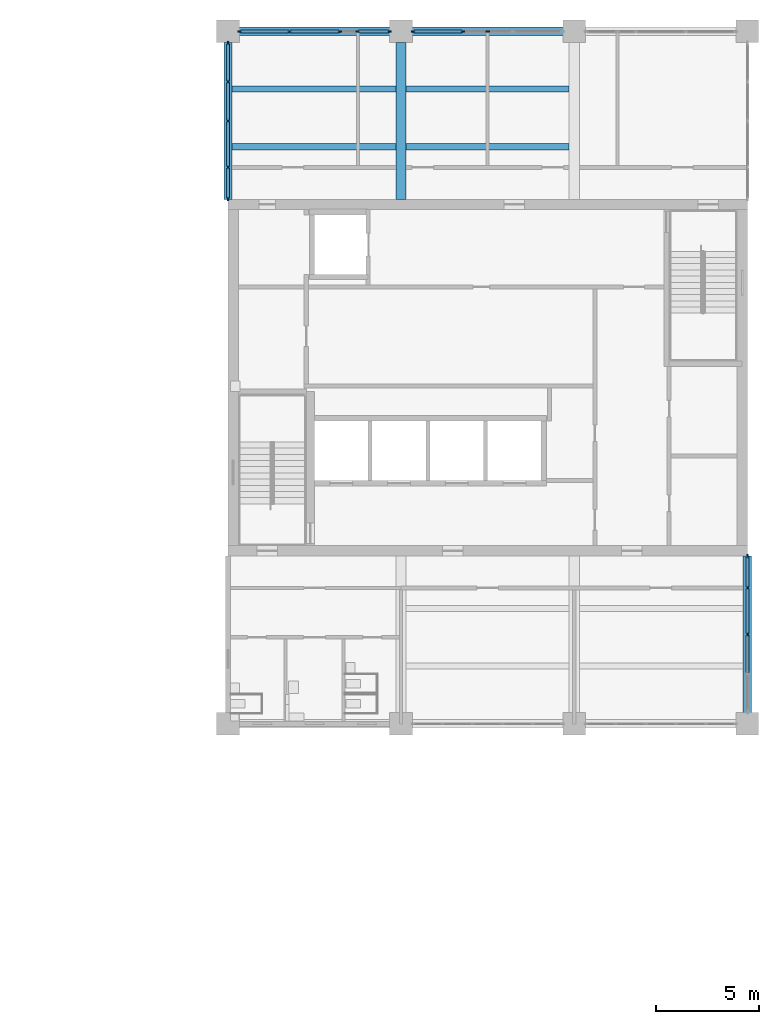
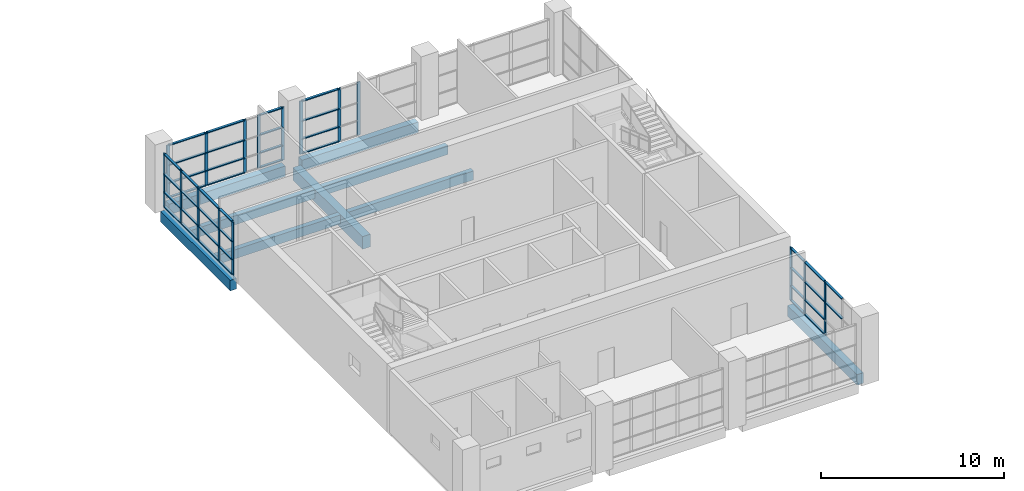
# One storey, part 11 of 64: 58 members, 9 beams, 4 elements without a shape of their own.
"""IFC4 building model written with IfcOpenShell, lengths in metres."""

from ifc_helpers import new_model, si_unit, direction, frame, origin, origin_2d, place, context, subcontext, project, spatial, rectangle, extrude, material, layer, layer_set, material_profile, profile_set, type_object, element, aggregate, save


model = new_model("IFC4")

# Units and contexts
model_context = context("Model", 3, precision=1e-05, world=origin(), true_north=direction((0.0, 1.0)))
body_context = subcontext(model_context, "Body", "Model", "MODEL_VIEW")
ifc_project = project(units=[si_unit("LENGTHUNIT", "METRE"), si_unit("AREAUNIT", "SQUARE_METRE"), si_unit("VOLUMEUNIT", "CUBIC_METRE"), si_unit("PLANEANGLEUNIT", "RADIAN"), si_unit("MASSUNIT", "GRAM", prefix="KILO")], contexts=[model_context])

# Site, building, storey
site_placement = place(None, origin())
site = spatial("IfcSite", under=ifc_project, at=site_placement, CompositionType="ELEMENT")
building_placement = place(site_placement, origin())
building = spatial("IfcBuilding", under=site, at=building_placement, Name="Rulbaag Community and Learning Centre", CompositionType="ELEMENT")
storey_placement = place(building_placement, frame((0.0, 0.0, 5.39990234375)))
storey = spatial("IfcBuildingStorey", under=building, at=storey_placement, Name="L01", CompositionType="ELEMENT", Elevation=5.39990234375)

# Beams
ifc_material_1 = material(Name="Concrete M40", Category="concrete")
ifc_material_profile_1 = material_profile(ifc_material_1, rectangle(XDim=0.39990234375, YDim=0.699951171875, at=origin_2d()), Name="RB400x700")
ifc_profile_set_1 = profile_set([ifc_material_profile_1], Name="Concrete M40")
beam_type_1 = type_object("IfcBeamType", Name="B17 Tower edge beam, lower zone 400x700 Concrete M40", PredefinedType="BEAM", material=ifc_profile_set_1)
beam_1_placement = place(storey_placement, frame((142.800048828125, 109.449951171875, -0.64990234375), z_axis=(0.0, 1.0, 0.0), x_axis=(-1.0, 0.0, 0.0)))
element("IfcBeam", 1, at=beam_1_placement, inside=storey, type_object=beam_type_1, Name="BM-L01-18N-18O", PredefinedType="BEAM", context=body_context, shape_type="SweptSolid", body=[
    extrude(rectangle(XDim=0.39990234375, YDim=0.699951171875, at=origin_2d()), origin(), (0.0, 0.0, 1.0), 7.6201171875),
])
beam_2_placement = place(storey_placement, frame((143.330078125, 117.60009765625, -0.64990234375), z_axis=(1.0, 0.0, 0.0), x_axis=(0.0, 1.0, 0.0)))
element("IfcBeam", 2, at=beam_2_placement, inside=storey, type_object=beam_type_1, Name="BM-L01-18O-19O", PredefinedType="BEAM", context=body_context, shape_type="SweptSolid", body=[
    extrude(rectangle(XDim=0.39990234375, YDim=0.699951171875, at=origin_2d()), origin(), (0.0, 0.0, 1.0), 7.33984375),
])
beam_3_placement = place(storey_placement, frame((151.72998046875, 117.60009765625, -0.64990234375), z_axis=(1.0, 0.0, 0.0), x_axis=(0.0, 1.0, 0.0)))
element("IfcBeam", 3, at=beam_3_placement, inside=storey, type_object=beam_type_1, Name="BM-L01-19O-20O", PredefinedType="BEAM", context=body_context, shape_type="SweptSolid", body=[
    extrude(rectangle(XDim=0.39990234375, YDim=0.699951171875, at=origin_2d()), origin(), (0.0, 0.0, 1.0), 7.340087890625),
])
beam_4_placement = place(storey_placement, frame((168.0, 84.530029296875, -0.64990234375), z_axis=(0.0, 1.0, 0.0), x_axis=(-1.0, 0.0, 0.0)))
element("IfcBeam", 4, at=beam_4_placement, inside=storey, type_object=beam_type_1, Name="BM-L01-21K-21L", PredefinedType="BEAM", context=body_context, shape_type="SweptSolid", body=[
    extrude(rectangle(XDim=0.39990234375, YDim=0.699951171875, at=origin_2d()), origin(), (0.0, 0.0, 1.0), 7.619873046875),
])
ifc_material_profile_2 = material_profile(ifc_material_1, rectangle(XDim=0.5, YDim=0.85009765625, at=origin_2d()), Name="RB500x850")
ifc_profile_set_2 = profile_set([ifc_material_profile_2], Name="Concrete M40")
beam_type_2 = type_object("IfcBeamType", Name="B18 Core-framing beam, lower zone 500x850 Concrete M40", PredefinedType="BEAM", material=ifc_profile_set_2)
beam_5_placement = place(storey_placement, frame((151.199951171875, 109.449951171875, -0.724853515625), z_axis=(0.0, 1.0, 0.0), x_axis=(-1.0, 0.0, 0.0)))
element("IfcBeam", 5, at=beam_5_placement, inside=storey, type_object=beam_type_2, Name="BM-L01-19N-19O", PredefinedType="BEAM", context=body_context, shape_type="SweptSolid", body=[
    extrude(rectangle(XDim=0.5, YDim=0.85009765625, at=origin_2d()), origin(), (0.0, 0.0, 1.0), 7.6201171875),
])
ifc_material_profile_3 = material_profile(ifc_material_1, rectangle(XDim=0.300048828125, YDim=0.60009765625, at=origin_2d()), Name="RB300x600")
ifc_profile_set_3 = profile_set([ifc_material_profile_3], Name="Concrete M40")
beam_type_3 = type_object("IfcBeamType", Name="B30 Secondary joist 300x600 Concrete M40", PredefinedType="BEAM", material=ifc_profile_set_3)
for number, where, z_axis, x_axis, name in (
    (6, (143.0, 112.0, -0.599853515625), (1.0, 0.0, 0.0), (0.0, 1.0, 0.0), "BM-JS-L01-18N-1"),
    (7, (143.0, 114.800048828125, -0.599853515625), (1.0, 0.0, 0.0), (0.0, 1.0, 0.0), "BM-JS-L01-18N-2"),
):
    element("IfcBeam", number, at=place(storey_placement, frame(where, z_axis=z_axis, x_axis=x_axis)), inside=storey, type_object=beam_type_3, Name=name, PredefinedType="BEAM", context=body_context, shape_type="SweptSolid", body=[
        extrude(rectangle(XDim=0.300048828125, YDim=0.60009765625, at=origin_2d()), origin(), (0.0, 0.0, 1.0), 7.949951171875),
    ])
for number, where, z_axis, x_axis, name in (
    (8, (151.449951171875, 112.0, -0.599853515625), (1.0, 0.0, 0.0), (0.0, 1.0, 0.0), "BM-JS-L01-19N-1"),
    (9, (151.449951171875, 114.800048828125, -0.599853515625), (1.0, 0.0, 0.0), (0.0, 1.0, 0.0), "BM-JS-L01-19N-2"),
):
    element("IfcBeam", number, at=place(storey_placement, frame(where, z_axis=z_axis, x_axis=x_axis)), inside=storey, type_object=beam_type_3, Name=name, PredefinedType="BEAM", context=body_context, shape_type="SweptSolid", body=[
        extrude(rectangle(XDim=0.300048828125, YDim=0.60009765625, at=origin_2d()), origin(), (0.0, 0.0, 1.0), 7.900146484375),
    ])

# Curtain wall, members
ifc_material_2 = material(Name="Aluminium", Category="aluminium")
ifc_layer = layer(ifc_material_2, 0.14990234375)
ifc_layer_set = layer_set([ifc_layer], Name="CW-T")
curtain_wall_type = type_object("IfcCurtainWallType", Name="CW-T", PredefinedType="USERDEFINED", material=ifc_layer_set)
curtain_wall_1_placement = place(storey_placement, origin())
curtain_wall_1 = element("IfcCurtainWall", 10, at=curtain_wall_1_placement, inside=storey, type_object=curtain_wall_type, Name="GT-L01-01", ObjectType="UNITISED CURTAIN WALL", PredefinedType="USERDEFINED")
ifc_material_3 = material(Name="Aluminium mullion", Category="aluminium")
ifc_material_profile_4 = material_profile(ifc_material_3, rectangle(XDim=0.06494140625, YDim=0.199951171875, at=origin_2d()), Name="AL 65x200")
ifc_profile_set_4 = profile_set([ifc_material_profile_4], Name="Aluminium mullion")
member_type_1 = type_object("IfcMemberType", Name="CW-T-MUL", PredefinedType="MULLION", material=ifc_profile_set_4)
member_1_placement = place(storey_placement, frame((143.382568359375, 117.60009765625, 0.0), z_axis=(0.0, 0.0, 1.0), x_axis=(0.0, 1.0, 0.0)))
member_1 = element("IfcMember", 11, at=member_1_placement, type_object=member_type_1, Name="GT mullion 1", PredefinedType="MULLION", context=body_context, shape_type="SweptSolid", body=[
    extrude(rectangle(XDim=0.06494140625, YDim=0.199951171875, at=origin_2d()), origin(), (0.0, 0.0, 1.0), 3.550048828125),
])
member_2_placement = place(storey_placement, frame((145.783447265625, 117.60009765625, 0.0), z_axis=(0.0, 0.0, 1.0), x_axis=(0.0, 1.0, 0.0)))
member_2 = element("IfcMember", 12, at=member_2_placement, type_object=member_type_1, Name="GT mullion 2", PredefinedType="MULLION", context=body_context, shape_type="SweptSolid", body=[
    extrude(rectangle(XDim=0.06494140625, YDim=0.199951171875, at=origin_2d()), origin(), (0.0, 0.0, 1.0), 3.550048828125),
])
member_3_placement = place(storey_placement, frame((148.216552734375, 117.60009765625, 0.0), z_axis=(0.0, 0.0, 1.0), x_axis=(0.0, 1.0, 0.0)))
member_3 = element("IfcMember", 13, at=member_3_placement, type_object=member_type_1, Name="GT mullion 3", PredefinedType="MULLION", context=body_context, shape_type="SweptSolid", body=[
    extrude(rectangle(XDim=0.06494140625, YDim=0.199951171875, at=origin_2d()), origin(), (0.0, 0.0, 1.0), 3.550048828125),
])
member_4_placement = place(storey_placement, frame((149.10009765625, 117.60009765625, 0.0), z_axis=(0.0, 0.0, 1.0), x_axis=(0.0, 1.0, 0.0)))
member_4 = element("IfcMember", 14, at=member_4_placement, type_object=member_type_1, Name="GT mullion 4", PredefinedType="MULLION", context=body_context, shape_type="SweptSolid", body=[
    extrude(rectangle(XDim=0.06494140625, YDim=0.199951171875, at=origin_2d()), origin(), (0.0, 0.0, 1.0), 3.550048828125),
])
member_5_placement = place(storey_placement, frame((150.617431640625, 117.60009765625, 0.0), z_axis=(0.0, 0.0, 1.0), x_axis=(0.0, 1.0, 0.0)))
member_5 = element("IfcMember", 15, at=member_5_placement, type_object=member_type_1, Name="GT mullion 5", PredefinedType="MULLION", context=body_context, shape_type="SweptSolid", body=[
    extrude(rectangle(XDim=0.06494140625, YDim=0.199951171875, at=origin_2d()), origin(), (0.0, 0.0, 1.0), 3.550048828125),
])

curtain_wall_2_placement = place(storey_placement, origin())
curtain_wall_2 = element("IfcCurtainWall", 16, at=curtain_wall_2_placement, inside=storey, type_object=curtain_wall_type, Name="GT-L01-02", ObjectType="UNITISED CURTAIN WALL", PredefinedType="USERDEFINED")
member_6_placement = place(storey_placement, frame((151.782470703125, 117.60009765625, 0.0), z_axis=(0.0, 0.0, 1.0), x_axis=(0.0, 1.0, 0.0)))
member_6 = element("IfcMember", 17, at=member_6_placement, type_object=member_type_1, Name="GT mullion 1", PredefinedType="MULLION", context=body_context, shape_type="SweptSolid", body=[
    extrude(rectangle(XDim=0.06494140625, YDim=0.199951171875, at=origin_2d()), origin(), (0.0, 0.0, 1.0), 3.550048828125),
])
member_7_placement = place(storey_placement, frame((154.183349609375, 117.60009765625, 0.0), z_axis=(0.0, 0.0, 1.0), x_axis=(0.0, 1.0, 0.0)))
member_7 = element("IfcMember", 18, at=member_7_placement, type_object=member_type_1, Name="GT mullion 2", PredefinedType="MULLION", context=body_context, shape_type="SweptSolid", body=[
    extrude(rectangle(XDim=0.06494140625, YDim=0.199951171875, at=origin_2d()), origin(), (0.0, 0.0, 1.0), 3.550048828125),
])
member_8_placement = place(storey_placement, frame((155.39990234375, 117.60009765625, 0.0), z_axis=(0.0, 0.0, 1.0), x_axis=(0.0, 1.0, 0.0)))
member_8 = element("IfcMember", 19, at=member_8_placement, type_object=member_type_1, Name="GT mullion 3", PredefinedType="MULLION", context=body_context, shape_type="SweptSolid", body=[
    extrude(rectangle(XDim=0.06494140625, YDim=0.199951171875, at=origin_2d()), origin(), (0.0, 0.0, 1.0), 3.550048828125),
])

curtain_wall_3_placement = place(storey_placement, origin())
curtain_wall_3 = element("IfcCurtainWall", 20, at=curtain_wall_3_placement, inside=storey, type_object=curtain_wall_type, Name="GT-L01-04", ObjectType="UNITISED CURTAIN WALL", PredefinedType="USERDEFINED")
member_9_placement = place(storey_placement, frame((142.800048828125, 109.482421875, 0.0), z_axis=(0.0, 0.0, 1.0), x_axis=(-1.0, 0.0, 0.0)))
member_9 = element("IfcMember", 21, at=member_9_placement, type_object=member_type_1, Name="GT mullion 1", PredefinedType="MULLION", context=body_context, shape_type="SweptSolid", body=[
    extrude(rectangle(XDim=0.06494140625, YDim=0.199951171875, at=origin_2d()), origin(), (0.0, 0.0, 1.0), 3.550048828125),
])
member_10_placement = place(storey_placement, frame((142.800048828125, 111.0, 0.0), z_axis=(0.0, 0.0, 1.0), x_axis=(-1.0, 0.0, 0.0)))
member_10 = element("IfcMember", 22, at=member_10_placement, type_object=member_type_1, Name="GT mullion 2", PredefinedType="MULLION", context=body_context, shape_type="SweptSolid", body=[
    extrude(rectangle(XDim=0.06494140625, YDim=0.199951171875, at=origin_2d()), origin(), (0.0, 0.0, 1.0), 3.550048828125),
])
member_11_placement = place(storey_placement, frame((142.800048828125, 113.25, 0.0), z_axis=(0.0, 0.0, 1.0), x_axis=(-1.0, 0.0, 0.0)))
member_11 = element("IfcMember", 23, at=member_11_placement, type_object=member_type_1, Name="GT mullion 3", PredefinedType="MULLION", context=body_context, shape_type="SweptSolid", body=[
    extrude(rectangle(XDim=0.06494140625, YDim=0.199951171875, at=origin_2d()), origin(), (0.0, 0.0, 1.0), 3.550048828125),
])
member_12_placement = place(storey_placement, frame((142.800048828125, 115.14990234375, 0.0), z_axis=(0.0, 0.0, 1.0), x_axis=(-1.0, 0.0, 0.0)))
member_12 = element("IfcMember", 24, at=member_12_placement, type_object=member_type_1, Name="GT mullion 4", PredefinedType="MULLION", context=body_context, shape_type="SweptSolid", body=[
    extrude(rectangle(XDim=0.06494140625, YDim=0.199951171875, at=origin_2d()), origin(), (0.0, 0.0, 1.0), 3.550048828125),
])
member_13_placement = place(storey_placement, frame((142.800048828125, 117.017578125, 0.0), z_axis=(0.0, 0.0, 1.0), x_axis=(-1.0, 0.0, 0.0)))
member_13 = element("IfcMember", 25, at=member_13_placement, type_object=member_type_1, Name="GT mullion 5", PredefinedType="MULLION", context=body_context, shape_type="SweptSolid", body=[
    extrude(rectangle(XDim=0.06494140625, YDim=0.199951171875, at=origin_2d()), origin(), (0.0, 0.0, 1.0), 3.550048828125),
])

curtain_wall_4_placement = place(storey_placement, origin())
curtain_wall_4 = element("IfcCurtainWall", 26, at=curtain_wall_4_placement, inside=storey, type_object=curtain_wall_type, Name="GT-L01-05", ObjectType="UNITISED CURTAIN WALL", PredefinedType="USERDEFINED")
member_14_placement = place(storey_placement, frame((168.0, 88.35009765625, 0.0), z_axis=(0.0, 0.0, 1.0), x_axis=(-1.0, 0.0, 0.0)))
member_14 = element("IfcMember", 27, at=member_14_placement, type_object=member_type_1, Name="GT mullion 3", PredefinedType="MULLION", context=body_context, shape_type="SweptSolid", body=[
    extrude(rectangle(XDim=0.06494140625, YDim=0.199951171875, at=origin_2d()), origin(), (0.0, 0.0, 1.0), 3.550048828125),
])
member_15_placement = place(storey_placement, frame((168.0, 90.60009765625, 0.0), z_axis=(0.0, 0.0, 1.0), x_axis=(-1.0, 0.0, 0.0)))
member_15 = element("IfcMember", 28, at=member_15_placement, type_object=member_type_1, Name="GT mullion 4", PredefinedType="MULLION", context=body_context, shape_type="SweptSolid", body=[
    extrude(rectangle(XDim=0.06494140625, YDim=0.199951171875, at=origin_2d()), origin(), (0.0, 0.0, 1.0), 3.550048828125),
])
member_16_placement = place(storey_placement, frame((168.0, 92.117431640625, 0.0), z_axis=(0.0, 0.0, 1.0), x_axis=(-1.0, 0.0, 0.0)))
member_16 = element("IfcMember", 29, at=member_16_placement, type_object=member_type_1, Name="GT mullion 5", PredefinedType="MULLION", context=body_context, shape_type="SweptSolid", body=[
    extrude(rectangle(XDim=0.06494140625, YDim=0.199951171875, at=origin_2d()), origin(), (0.0, 0.0, 1.0), 3.550048828125),
])

# Member
ifc_material_4 = material(Name="Aluminium transom", Category="aluminium")
ifc_material_profile_5 = material_profile(ifc_material_4, rectangle(XDim=0.14990234375, YDim=0.06494140625, at=origin_2d()), Name="AL 65x150 T")
ifc_profile_set_5 = profile_set([ifc_material_profile_5], Name="Aluminium transom")
member_type_2 = type_object("IfcMemberType", Name="CW-T-TRN", PredefinedType="USERDEFINED", material=ifc_profile_set_5)
member_17_placement = place(storey_placement, frame((143.4150390625, 117.60009765625, 0.03271484375), z_axis=(1.0, 0.0, 0.0), x_axis=(0.0, 1.0, 0.0)))
member_17 = element("IfcMember", 30, at=member_17_placement, type_object=member_type_2, Name="GT transom 1.1", ObjectType="TRANSOM", PredefinedType="USERDEFINED", context=body_context, shape_type="SweptSolid", body=[
    extrude(rectangle(XDim=0.14990234375, YDim=0.06494140625, at=origin_2d()), origin(), (0.0, 0.0, 1.0), 2.335693359375),
])

member_18_placement = place(storey_placement, frame((143.4150390625, 117.60009765625, 1.0), z_axis=(1.0, 0.0, 0.0), x_axis=(0.0, 1.0, 0.0)))
member_18 = element("IfcMember", 31, at=member_18_placement, type_object=member_type_2, Name="GT transom 1.2", ObjectType="TRANSOM", PredefinedType="USERDEFINED", context=body_context, shape_type="SweptSolid", body=[
    extrude(rectangle(XDim=0.14990234375, YDim=0.06494140625, at=origin_2d()), origin(), (0.0, 0.0, 1.0), 2.335693359375),
])

member_19_placement = place(storey_placement, frame((143.4150390625, 117.60009765625, 2.2001953125), z_axis=(1.0, 0.0, 0.0), x_axis=(0.0, 1.0, 0.0)))
member_19 = element("IfcMember", 32, at=member_19_placement, type_object=member_type_2, Name="GT transom 1.3", ObjectType="TRANSOM", PredefinedType="USERDEFINED", context=body_context, shape_type="SweptSolid", body=[
    extrude(rectangle(XDim=0.14990234375, YDim=0.06494140625, at=origin_2d()), origin(), (0.0, 0.0, 1.0), 2.335693359375),
])

member_20_placement = place(storey_placement, frame((143.4150390625, 117.60009765625, 3.517578125), z_axis=(1.0, 0.0, 0.0), x_axis=(0.0, 1.0, 0.0)))
member_20 = element("IfcMember", 33, at=member_20_placement, type_object=member_type_2, Name="GT transom 1.4", ObjectType="TRANSOM", PredefinedType="USERDEFINED", context=body_context, shape_type="SweptSolid", body=[
    extrude(rectangle(XDim=0.14990234375, YDim=0.06494140625, at=origin_2d()), origin(), (0.0, 0.0, 1.0), 2.335693359375),
])

member_21_placement = place(storey_placement, frame((145.81591796875, 117.60009765625, 0.03271484375), z_axis=(1.0, 0.0, 0.0), x_axis=(0.0, 1.0, 0.0)))
member_21 = element("IfcMember", 34, at=member_21_placement, type_object=member_type_2, Name="GT transom 2.1", ObjectType="TRANSOM", PredefinedType="USERDEFINED", context=body_context, shape_type="SweptSolid", body=[
    extrude(rectangle(XDim=0.14990234375, YDim=0.06494140625, at=origin_2d()), origin(), (0.0, 0.0, 1.0), 2.3681640625),
])

member_22_placement = place(storey_placement, frame((145.81591796875, 117.60009765625, 1.0), z_axis=(1.0, 0.0, 0.0), x_axis=(0.0, 1.0, 0.0)))
member_22 = element("IfcMember", 35, at=member_22_placement, type_object=member_type_2, Name="GT transom 2.2", ObjectType="TRANSOM", PredefinedType="USERDEFINED", context=body_context, shape_type="SweptSolid", body=[
    extrude(rectangle(XDim=0.14990234375, YDim=0.06494140625, at=origin_2d()), origin(), (0.0, 0.0, 1.0), 2.3681640625),
])

member_23_placement = place(storey_placement, frame((145.81591796875, 117.60009765625, 2.2001953125), z_axis=(1.0, 0.0, 0.0), x_axis=(0.0, 1.0, 0.0)))
member_23 = element("IfcMember", 36, at=member_23_placement, type_object=member_type_2, Name="GT transom 2.3", ObjectType="TRANSOM", PredefinedType="USERDEFINED", context=body_context, shape_type="SweptSolid", body=[
    extrude(rectangle(XDim=0.14990234375, YDim=0.06494140625, at=origin_2d()), origin(), (0.0, 0.0, 1.0), 2.3681640625),
])

member_24_placement = place(storey_placement, frame((145.81591796875, 117.60009765625, 3.517578125), z_axis=(1.0, 0.0, 0.0), x_axis=(0.0, 1.0, 0.0)))
member_24 = element("IfcMember", 37, at=member_24_placement, type_object=member_type_2, Name="GT transom 2.4", ObjectType="TRANSOM", PredefinedType="USERDEFINED", context=body_context, shape_type="SweptSolid", body=[
    extrude(rectangle(XDim=0.14990234375, YDim=0.06494140625, at=origin_2d()), origin(), (0.0, 0.0, 1.0), 2.3681640625),
])

member_25_placement = place(storey_placement, frame((149.132568359375, 117.60009765625, 0.03271484375), z_axis=(1.0, 0.0, 0.0), x_axis=(0.0, 1.0, 0.0)))
member_25 = element("IfcMember", 38, at=member_25_placement, type_object=member_type_2, Name="GT transom 4.1", ObjectType="TRANSOM", PredefinedType="USERDEFINED", context=body_context, shape_type="SweptSolid", body=[
    extrude(rectangle(XDim=0.14990234375, YDim=0.06494140625, at=origin_2d()), origin(), (0.0, 0.0, 1.0), 1.452392578125),
])

member_26_placement = place(storey_placement, frame((149.132568359375, 117.60009765625, 1.0), z_axis=(1.0, 0.0, 0.0), x_axis=(0.0, 1.0, 0.0)))
member_26 = element("IfcMember", 39, at=member_26_placement, type_object=member_type_2, Name="GT transom 4.2", ObjectType="TRANSOM", PredefinedType="USERDEFINED", context=body_context, shape_type="SweptSolid", body=[
    extrude(rectangle(XDim=0.14990234375, YDim=0.06494140625, at=origin_2d()), origin(), (0.0, 0.0, 1.0), 1.452392578125),
])

member_27_placement = place(storey_placement, frame((149.132568359375, 117.60009765625, 2.2001953125), z_axis=(1.0, 0.0, 0.0), x_axis=(0.0, 1.0, 0.0)))
member_27 = element("IfcMember", 40, at=member_27_placement, type_object=member_type_2, Name="GT transom 4.3", ObjectType="TRANSOM", PredefinedType="USERDEFINED", context=body_context, shape_type="SweptSolid", body=[
    extrude(rectangle(XDim=0.14990234375, YDim=0.06494140625, at=origin_2d()), origin(), (0.0, 0.0, 1.0), 1.452392578125),
])

member_28_placement = place(storey_placement, frame((149.132568359375, 117.60009765625, 3.517578125), z_axis=(1.0, 0.0, 0.0), x_axis=(0.0, 1.0, 0.0)))
member_28 = element("IfcMember", 41, at=member_28_placement, type_object=member_type_2, Name="GT transom 4.4", ObjectType="TRANSOM", PredefinedType="USERDEFINED", context=body_context, shape_type="SweptSolid", body=[
    extrude(rectangle(XDim=0.14990234375, YDim=0.06494140625, at=origin_2d()), origin(), (0.0, 0.0, 1.0), 1.452392578125),
])

aggregate(curtain_wall_1, [member_1, member_2, member_3, member_4, member_5, member_17, member_18, member_19, member_20, member_21, member_22, member_23, member_24, member_25, member_26, member_27, member_28])

member_29_placement = place(storey_placement, frame((151.81494140625, 117.60009765625, 0.03271484375), z_axis=(1.0, 0.0, 0.0), x_axis=(0.0, 1.0, 0.0)))
member_29 = element("IfcMember", 42, at=member_29_placement, type_object=member_type_2, Name="GT transom 1.1", ObjectType="TRANSOM", PredefinedType="USERDEFINED", context=body_context, shape_type="SweptSolid", body=[
    extrude(rectangle(XDim=0.14990234375, YDim=0.06494140625, at=origin_2d()), origin(), (0.0, 0.0, 1.0), 2.3359375),
])

member_30_placement = place(storey_placement, frame((151.81494140625, 117.60009765625, 1.0), z_axis=(1.0, 0.0, 0.0), x_axis=(0.0, 1.0, 0.0)))
member_30 = element("IfcMember", 43, at=member_30_placement, type_object=member_type_2, Name="GT transom 1.2", ObjectType="TRANSOM", PredefinedType="USERDEFINED", context=body_context, shape_type="SweptSolid", body=[
    extrude(rectangle(XDim=0.14990234375, YDim=0.06494140625, at=origin_2d()), origin(), (0.0, 0.0, 1.0), 2.3359375),
])

member_31_placement = place(storey_placement, frame((151.81494140625, 117.60009765625, 2.2001953125), z_axis=(1.0, 0.0, 0.0), x_axis=(0.0, 1.0, 0.0)))
member_31 = element("IfcMember", 44, at=member_31_placement, type_object=member_type_2, Name="GT transom 1.3", ObjectType="TRANSOM", PredefinedType="USERDEFINED", context=body_context, shape_type="SweptSolid", body=[
    extrude(rectangle(XDim=0.14990234375, YDim=0.06494140625, at=origin_2d()), origin(), (0.0, 0.0, 1.0), 2.3359375),
])

member_32_placement = place(storey_placement, frame((151.81494140625, 117.60009765625, 3.517578125), z_axis=(1.0, 0.0, 0.0), x_axis=(0.0, 1.0, 0.0)))
member_32 = element("IfcMember", 45, at=member_32_placement, type_object=member_type_2, Name="GT transom 1.4", ObjectType="TRANSOM", PredefinedType="USERDEFINED", context=body_context, shape_type="SweptSolid", body=[
    extrude(rectangle(XDim=0.14990234375, YDim=0.06494140625, at=origin_2d()), origin(), (0.0, 0.0, 1.0), 2.3359375),
])

aggregate(curtain_wall_2, [member_6, member_7, member_8, member_29, member_30, member_31, member_32])

member_33_placement = place(storey_placement, frame((142.800048828125, 109.514892578125, 0.03271484375), z_axis=(0.0, 1.0, 0.0), x_axis=(-1.0, 0.0, 0.0)))
member_33 = element("IfcMember", 46, at=member_33_placement, type_object=member_type_2, Name="GT transom 1.1", ObjectType="TRANSOM", PredefinedType="USERDEFINED", context=body_context, shape_type="SweptSolid", body=[
    extrude(rectangle(XDim=0.14990234375, YDim=0.06494140625, at=origin_2d()), origin(), (0.0, 0.0, 1.0), 1.45263671875),
])

member_34_placement = place(storey_placement, frame((142.800048828125, 109.514892578125, 1.0), z_axis=(0.0, 1.0, 0.0), x_axis=(-1.0, 0.0, 0.0)))
member_34 = element("IfcMember", 47, at=member_34_placement, type_object=member_type_2, Name="GT transom 1.2", ObjectType="TRANSOM", PredefinedType="USERDEFINED", context=body_context, shape_type="SweptSolid", body=[
    extrude(rectangle(XDim=0.14990234375, YDim=0.06494140625, at=origin_2d()), origin(), (0.0, 0.0, 1.0), 1.45263671875),
])

member_35_placement = place(storey_placement, frame((142.800048828125, 109.514892578125, 2.2001953125), z_axis=(0.0, 1.0, 0.0), x_axis=(-1.0, 0.0, 0.0)))
member_35 = element("IfcMember", 48, at=member_35_placement, type_object=member_type_2, Name="GT transom 1.3", ObjectType="TRANSOM", PredefinedType="USERDEFINED", context=body_context, shape_type="SweptSolid", body=[
    extrude(rectangle(XDim=0.14990234375, YDim=0.06494140625, at=origin_2d()), origin(), (0.0, 0.0, 1.0), 1.45263671875),
])

member_36_placement = place(storey_placement, frame((142.800048828125, 109.514892578125, 3.517578125), z_axis=(0.0, 1.0, 0.0), x_axis=(-1.0, 0.0, 0.0)))
member_36 = element("IfcMember", 49, at=member_36_placement, type_object=member_type_2, Name="GT transom 1.4", ObjectType="TRANSOM", PredefinedType="USERDEFINED", context=body_context, shape_type="SweptSolid", body=[
    extrude(rectangle(XDim=0.14990234375, YDim=0.06494140625, at=origin_2d()), origin(), (0.0, 0.0, 1.0), 1.45263671875),
])

member_37_placement = place(storey_placement, frame((142.800048828125, 111.032470703125, 0.03271484375), z_axis=(0.0, 1.0, 0.0), x_axis=(-1.0, 0.0, 0.0)))
member_37 = element("IfcMember", 50, at=member_37_placement, type_object=member_type_2, Name="GT transom 2.1", ObjectType="TRANSOM", PredefinedType="USERDEFINED", context=body_context, shape_type="SweptSolid", body=[
    extrude(rectangle(XDim=0.14990234375, YDim=0.06494140625, at=origin_2d()), origin(), (0.0, 0.0, 1.0), 2.18505859375),
])

member_38_placement = place(storey_placement, frame((142.800048828125, 111.032470703125, 1.0), z_axis=(0.0, 1.0, 0.0), x_axis=(-1.0, 0.0, 0.0)))
member_38 = element("IfcMember", 51, at=member_38_placement, type_object=member_type_2, Name="GT transom 2.2", ObjectType="TRANSOM", PredefinedType="USERDEFINED", context=body_context, shape_type="SweptSolid", body=[
    extrude(rectangle(XDim=0.14990234375, YDim=0.06494140625, at=origin_2d()), origin(), (0.0, 0.0, 1.0), 2.18505859375),
])

member_39_placement = place(storey_placement, frame((142.800048828125, 111.032470703125, 2.2001953125), z_axis=(0.0, 1.0, 0.0), x_axis=(-1.0, 0.0, 0.0)))
member_39 = element("IfcMember", 52, at=member_39_placement, type_object=member_type_2, Name="GT transom 2.3", ObjectType="TRANSOM", PredefinedType="USERDEFINED", context=body_context, shape_type="SweptSolid", body=[
    extrude(rectangle(XDim=0.14990234375, YDim=0.06494140625, at=origin_2d()), origin(), (0.0, 0.0, 1.0), 2.18505859375),
])

member_40_placement = place(storey_placement, frame((142.800048828125, 111.032470703125, 3.517578125), z_axis=(0.0, 1.0, 0.0), x_axis=(-1.0, 0.0, 0.0)))
member_40 = element("IfcMember", 53, at=member_40_placement, type_object=member_type_2, Name="GT transom 2.4", ObjectType="TRANSOM", PredefinedType="USERDEFINED", context=body_context, shape_type="SweptSolid", body=[
    extrude(rectangle(XDim=0.14990234375, YDim=0.06494140625, at=origin_2d()), origin(), (0.0, 0.0, 1.0), 2.18505859375),
])

member_41_placement = place(storey_placement, frame((142.800048828125, 113.282470703125, 0.03271484375), z_axis=(0.0, 1.0, 0.0), x_axis=(-1.0, 0.0, 0.0)))
member_41 = element("IfcMember", 54, at=member_41_placement, type_object=member_type_2, Name="GT transom 3.1", ObjectType="TRANSOM", PredefinedType="USERDEFINED", context=body_context, shape_type="SweptSolid", body=[
    extrude(rectangle(XDim=0.14990234375, YDim=0.06494140625, at=origin_2d()), origin(), (0.0, 0.0, 1.0), 1.8349609375),
])

member_42_placement = place(storey_placement, frame((142.800048828125, 113.282470703125, 1.0), z_axis=(0.0, 1.0, 0.0), x_axis=(-1.0, 0.0, 0.0)))
member_42 = element("IfcMember", 55, at=member_42_placement, type_object=member_type_2, Name="GT transom 3.2", ObjectType="TRANSOM", PredefinedType="USERDEFINED", context=body_context, shape_type="SweptSolid", body=[
    extrude(rectangle(XDim=0.14990234375, YDim=0.06494140625, at=origin_2d()), origin(), (0.0, 0.0, 1.0), 1.8349609375),
])

member_43_placement = place(storey_placement, frame((142.800048828125, 113.282470703125, 2.2001953125), z_axis=(0.0, 1.0, 0.0), x_axis=(-1.0, 0.0, 0.0)))
member_43 = element("IfcMember", 56, at=member_43_placement, type_object=member_type_2, Name="GT transom 3.3", ObjectType="TRANSOM", PredefinedType="USERDEFINED", context=body_context, shape_type="SweptSolid", body=[
    extrude(rectangle(XDim=0.14990234375, YDim=0.06494140625, at=origin_2d()), origin(), (0.0, 0.0, 1.0), 1.8349609375),
])

member_44_placement = place(storey_placement, frame((142.800048828125, 113.282470703125, 3.517578125), z_axis=(0.0, 1.0, 0.0), x_axis=(-1.0, 0.0, 0.0)))
member_44 = element("IfcMember", 57, at=member_44_placement, type_object=member_type_2, Name="GT transom 3.4", ObjectType="TRANSOM", PredefinedType="USERDEFINED", context=body_context, shape_type="SweptSolid", body=[
    extrude(rectangle(XDim=0.14990234375, YDim=0.06494140625, at=origin_2d()), origin(), (0.0, 0.0, 1.0), 1.8349609375),
])

member_45_placement = place(storey_placement, frame((142.800048828125, 115.1826171875, 0.03271484375), z_axis=(0.0, 1.0, 0.0), x_axis=(-1.0, 0.0, 0.0)))
member_45 = element("IfcMember", 58, at=member_45_placement, type_object=member_type_2, Name="GT transom 4.1", ObjectType="TRANSOM", PredefinedType="USERDEFINED", context=body_context, shape_type="SweptSolid", body=[
    extrude(rectangle(XDim=0.14990234375, YDim=0.06494140625, at=origin_2d()), origin(), (0.0, 0.0, 1.0), 1.802490234375),
])

member_46_placement = place(storey_placement, frame((142.800048828125, 115.1826171875, 1.0), z_axis=(0.0, 1.0, 0.0), x_axis=(-1.0, 0.0, 0.0)))
member_46 = element("IfcMember", 59, at=member_46_placement, type_object=member_type_2, Name="GT transom 4.2", ObjectType="TRANSOM", PredefinedType="USERDEFINED", context=body_context, shape_type="SweptSolid", body=[
    extrude(rectangle(XDim=0.14990234375, YDim=0.06494140625, at=origin_2d()), origin(), (0.0, 0.0, 1.0), 1.802490234375),
])

member_47_placement = place(storey_placement, frame((142.800048828125, 115.1826171875, 2.2001953125), z_axis=(0.0, 1.0, 0.0), x_axis=(-1.0, 0.0, 0.0)))
member_47 = element("IfcMember", 60, at=member_47_placement, type_object=member_type_2, Name="GT transom 4.3", ObjectType="TRANSOM", PredefinedType="USERDEFINED", context=body_context, shape_type="SweptSolid", body=[
    extrude(rectangle(XDim=0.14990234375, YDim=0.06494140625, at=origin_2d()), origin(), (0.0, 0.0, 1.0), 1.802490234375),
])

member_48_placement = place(storey_placement, frame((142.800048828125, 115.1826171875, 3.517578125), z_axis=(0.0, 1.0, 0.0), x_axis=(-1.0, 0.0, 0.0)))
member_48 = element("IfcMember", 61, at=member_48_placement, type_object=member_type_2, Name="GT transom 4.4", ObjectType="TRANSOM", PredefinedType="USERDEFINED", context=body_context, shape_type="SweptSolid", body=[
    extrude(rectangle(XDim=0.14990234375, YDim=0.06494140625, at=origin_2d()), origin(), (0.0, 0.0, 1.0), 1.802490234375),
])

aggregate(curtain_wall_3, [member_9, member_10, member_11, member_12, member_13, member_33, member_34, member_35, member_36, member_37, member_38, member_39, member_40, member_41, member_42, member_43, member_44, member_45, member_46, member_47, member_48])

member_49_placement = place(storey_placement, frame((168.0, 86.482421875, 2.2001953125), z_axis=(0.0, 1.0, 0.0), x_axis=(-1.0, 0.0, 0.0)))
member_49 = element("IfcMember", 62, at=member_49_placement, type_object=member_type_2, Name="GT transom 2.3", ObjectType="TRANSOM", PredefinedType="USERDEFINED", context=body_context, shape_type="SweptSolid", body=[
    extrude(rectangle(XDim=0.14990234375, YDim=0.06494140625, at=origin_2d()), origin(), (0.0, 0.0, 1.0), 1.8349609375),
])

member_50_placement = place(storey_placement, frame((168.0, 86.482421875, 3.517578125), z_axis=(0.0, 1.0, 0.0), x_axis=(-1.0, 0.0, 0.0)))
member_50 = element("IfcMember", 63, at=member_50_placement, type_object=member_type_2, Name="GT transom 2.4", ObjectType="TRANSOM", PredefinedType="USERDEFINED", context=body_context, shape_type="SweptSolid", body=[
    extrude(rectangle(XDim=0.14990234375, YDim=0.06494140625, at=origin_2d()), origin(), (0.0, 0.0, 1.0), 1.8349609375),
])

member_51_placement = place(storey_placement, frame((168.0, 88.382568359375, 0.03271484375), z_axis=(0.0, 1.0, 0.0), x_axis=(-1.0, 0.0, 0.0)))
member_51 = element("IfcMember", 64, at=member_51_placement, type_object=member_type_2, Name="GT transom 3.1", ObjectType="TRANSOM", PredefinedType="USERDEFINED", context=body_context, shape_type="SweptSolid", body=[
    extrude(rectangle(XDim=0.14990234375, YDim=0.06494140625, at=origin_2d()), origin(), (0.0, 0.0, 1.0), 2.184814453125),
])

member_52_placement = place(storey_placement, frame((168.0, 88.382568359375, 1.0), z_axis=(0.0, 1.0, 0.0), x_axis=(-1.0, 0.0, 0.0)))
member_52 = element("IfcMember", 65, at=member_52_placement, type_object=member_type_2, Name="GT transom 3.2", ObjectType="TRANSOM", PredefinedType="USERDEFINED", context=body_context, shape_type="SweptSolid", body=[
    extrude(rectangle(XDim=0.14990234375, YDim=0.06494140625, at=origin_2d()), origin(), (0.0, 0.0, 1.0), 2.184814453125),
])

member_53_placement = place(storey_placement, frame((168.0, 88.382568359375, 2.2001953125), z_axis=(0.0, 1.0, 0.0), x_axis=(-1.0, 0.0, 0.0)))
member_53 = element("IfcMember", 66, at=member_53_placement, type_object=member_type_2, Name="GT transom 3.3", ObjectType="TRANSOM", PredefinedType="USERDEFINED", context=body_context, shape_type="SweptSolid", body=[
    extrude(rectangle(XDim=0.14990234375, YDim=0.06494140625, at=origin_2d()), origin(), (0.0, 0.0, 1.0), 2.184814453125),
])

member_54_placement = place(storey_placement, frame((168.0, 88.382568359375, 3.517578125), z_axis=(0.0, 1.0, 0.0), x_axis=(-1.0, 0.0, 0.0)))
member_54 = element("IfcMember", 67, at=member_54_placement, type_object=member_type_2, Name="GT transom 3.4", ObjectType="TRANSOM", PredefinedType="USERDEFINED", context=body_context, shape_type="SweptSolid", body=[
    extrude(rectangle(XDim=0.14990234375, YDim=0.06494140625, at=origin_2d()), origin(), (0.0, 0.0, 1.0), 2.184814453125),
])

member_55_placement = place(storey_placement, frame((168.0, 90.632568359375, 0.03271484375), z_axis=(0.0, 1.0, 0.0), x_axis=(-1.0, 0.0, 0.0)))
member_55 = element("IfcMember", 68, at=member_55_placement, type_object=member_type_2, Name="GT transom 4.1", ObjectType="TRANSOM", PredefinedType="USERDEFINED", context=body_context, shape_type="SweptSolid", body=[
    extrude(rectangle(XDim=0.14990234375, YDim=0.06494140625, at=origin_2d()), origin(), (0.0, 0.0, 1.0), 1.452392578125),
])

member_56_placement = place(storey_placement, frame((168.0, 90.632568359375, 1.0), z_axis=(0.0, 1.0, 0.0), x_axis=(-1.0, 0.0, 0.0)))
member_56 = element("IfcMember", 69, at=member_56_placement, type_object=member_type_2, Name="GT transom 4.2", ObjectType="TRANSOM", PredefinedType="USERDEFINED", context=body_context, shape_type="SweptSolid", body=[
    extrude(rectangle(XDim=0.14990234375, YDim=0.06494140625, at=origin_2d()), origin(), (0.0, 0.0, 1.0), 1.452392578125),
])

member_57_placement = place(storey_placement, frame((168.0, 90.632568359375, 2.2001953125), z_axis=(0.0, 1.0, 0.0), x_axis=(-1.0, 0.0, 0.0)))
member_57 = element("IfcMember", 70, at=member_57_placement, type_object=member_type_2, Name="GT transom 4.3", ObjectType="TRANSOM", PredefinedType="USERDEFINED", context=body_context, shape_type="SweptSolid", body=[
    extrude(rectangle(XDim=0.14990234375, YDim=0.06494140625, at=origin_2d()), origin(), (0.0, 0.0, 1.0), 1.452392578125),
])

member_58_placement = place(storey_placement, frame((168.0, 90.632568359375, 3.517578125), z_axis=(0.0, 1.0, 0.0), x_axis=(-1.0, 0.0, 0.0)))
member_58 = element("IfcMember", 71, at=member_58_placement, type_object=member_type_2, Name="GT transom 4.4", ObjectType="TRANSOM", PredefinedType="USERDEFINED", context=body_context, shape_type="SweptSolid", body=[
    extrude(rectangle(XDim=0.14990234375, YDim=0.06494140625, at=origin_2d()), origin(), (0.0, 0.0, 1.0), 1.452392578125),
])

aggregate(curtain_wall_4, [member_14, member_15, member_16, member_49, member_50, member_51, member_52, member_53, member_54, member_55, member_56, member_57, member_58])

save(model, "model.ifc")
